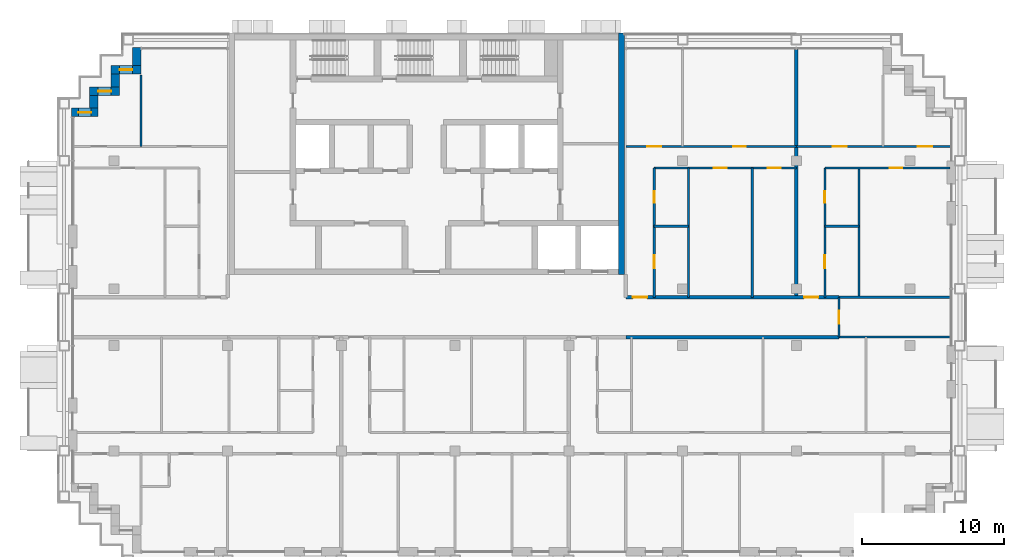
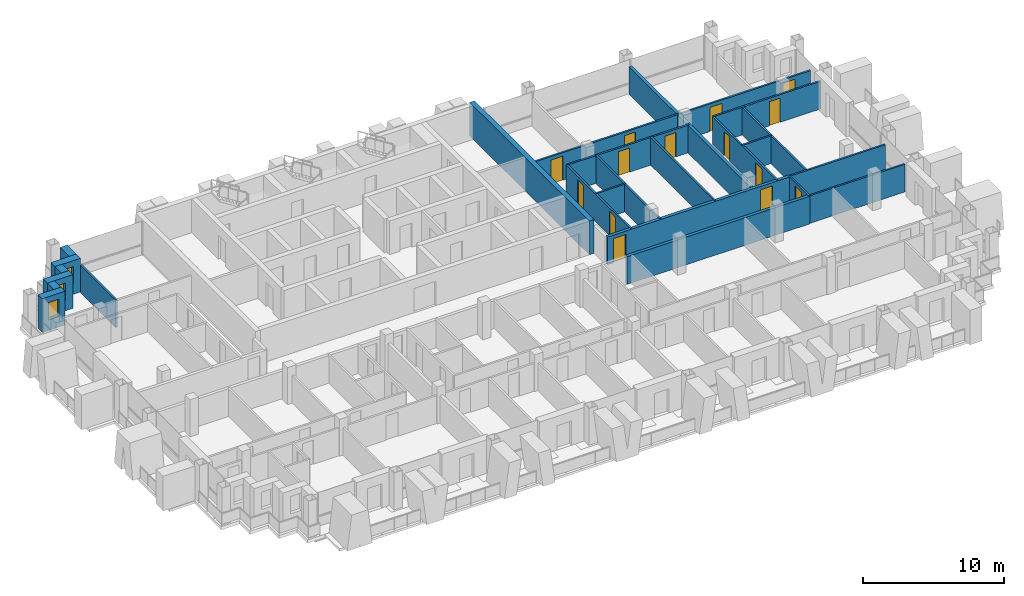
# One storey, part 11 of 16: 25 walls, 14 doors, 3 windows, 17 openings.
"""IFC4 building model written with IfcOpenShell, lengths in metres."""

from ifc_helpers import new_model, si_unit, direction, frame, frame_2d, origin, place, context, subcontext, project, spatial, rectangle, extrude, material, layer, layer_set, type_object, element, fill, save


model = new_model("IFC4")

# Units and contexts
model_context = context("Model", 3, precision=1e-05, world=origin(), true_north=direction((0.0, 1.0)))
body_context = subcontext(model_context, "Body", "Model", "MODEL_VIEW")
ifc_project = project(units=[si_unit("LENGTHUNIT", "METRE"), si_unit("AREAUNIT", "SQUARE_METRE"), si_unit("VOLUMEUNIT", "CUBIC_METRE"), si_unit("PLANEANGLEUNIT", "RADIAN"), si_unit("MASSUNIT", "GRAM", prefix="KILO")], contexts=[model_context])

# Site, building, storey
site_placement = place(None, origin())
site = spatial("IfcSite", under=ifc_project, at=site_placement, CompositionType="ELEMENT")
building_placement = place(site_placement, origin())
building = spatial("IfcBuilding", under=site, at=building_placement, Name="Vidyagriha Tower", CompositionType="ELEMENT")
storey_placement = place(building_placement, frame((0.0, 0.0, 168.5)))
storey = spatial("IfcBuildingStorey", under=building, at=storey_placement, Name="L43", CompositionType="ELEMENT", Elevation=168.5)

# Wall
ifc_material_1 = material(Name="Precast concrete C40/50 with brick facing", Category="concrete")
ifc_layer_1 = layer(ifc_material_1, 0.60009765625)
ifc_layer_set_1 = layer_set([ifc_layer_1], Name="Precast concrete C40/50 with brick facing")
wall_type_1 = type_object("IfcWallType", Name="Brick-faced precast wall 600", PredefinedType="STANDARD", material=ifc_layer_set_1)
wall_1_placement = place(storey_placement, frame((-20.39990234375, 18.97998046875, 0.0), z_axis=(0.0, 0.0, 1.0), x_axis=(0.0, -1.0, 0.0)))
element("IfcWall", 1, at=wall_1_placement, inside=storey, type_object=wall_type_1, Name="Stepped corner wall L43 R10", PredefinedType="STANDARD", context=body_context, shape_type="SweptSolid", body=[
    extrude(rectangle(XDim=1.280029296875, YDim=0.60009765625, at=frame_2d((0.64013671875, 0.0))), origin(), (0.0, 0.0, 1.0), 2.919921875),
])

# Wall, opening, window
wall_2_placement = place(storey_placement, frame((-20.10009765625, 17.39990234375, 0.0), z_axis=(0.0, 0.0, 1.0), x_axis=(-1.0, 0.0, 0.0)))
wall_2 = element("IfcWall", 2, at=wall_2_placement, inside=storey, type_object=wall_type_1, Name="Stepped corner wall L43 R11", PredefinedType="STANDARD", context=body_context, shape_type="SweptSolid", body=[
    extrude(rectangle(XDim=2.099853515625, YDim=0.60009765625, at=frame_2d((1.0498046875, 0.0))), origin(), (0.0, 0.0, 1.0), 2.919921875),
])
opening_1_placement = place(wall_2_placement, frame((0.60009765625, 0.0, 0.89990234375)))
opening_1 = element("IfcOpeningElement", 3, at=opening_1_placement, cuts=wall_2, Name="Opening WN1", PredefinedType="OPENING", context=body_context, shape_type="SweptSolid", body=[
    extrude(rectangle(XDim=0.89990234375, YDim=1.5, at=frame_2d((0.449951171875, 0.75))), frame((0.0, 0.31005859375, 0.0), z_axis=(0.0, -1.0, 0.0), x_axis=(1.0, 0.0, 0.0)), (0.0, 0.0, 1.0), 0.6201171875),
])
ifc_material_2 = material(Name="Aluminium and glass window", Category="aluminium")
window_type = type_object("IfcWindowType", Name="Reveal window 900x1500", PartitioningType="NOTDEFINED", PredefinedType="WINDOW", material=ifc_material_2)
window_1_placement = place(opening_1_placement, origin())
window_1 = element("IfcWindow", 4, at=window_1_placement, inside=storey, type_object=window_type, Name="Reveal window L43 R11", OverallHeight=1.5, OverallWidth=0.89990234375, PartitioningType="SINGLE_PANEL", PredefinedType="WINDOW", context=body_context, shape_type="SweptSolid", body=[
    extrude(rectangle(XDim=0.89990234375, YDim=1.5, at=frame_2d((0.449951171875, 0.75))), frame((0.0, 0.030029296875, 0.0), z_axis=(0.0, -1.0, 0.0), x_axis=(1.0, 0.0, 0.0)), (0.0, 0.0, 1.0), 0.06005859375),
])
fill(opening_1, window_1)

# Wall
wall_3_placement = place(storey_placement, frame((-21.89990234375, 17.10009765625, 0.0), z_axis=(0.0, 0.0, 1.0), x_axis=(0.0, -1.0, 0.0)))
element("IfcWall", 5, at=wall_3_placement, inside=storey, type_object=wall_type_1, Name="Stepped corner wall L43 R12", PredefinedType="STANDARD", context=body_context, shape_type="SweptSolid", body=[
    extrude(rectangle(XDim=0.900146484375, YDim=0.60009765625, at=frame_2d((0.4501953125, 0.0))), origin(), (0.0, 0.0, 1.0), 2.919921875),
])

# Wall, opening, window
wall_4_placement = place(storey_placement, frame((-21.60009765625, 15.89990234375, 0.0), z_axis=(0.0, 0.0, 1.0), x_axis=(-1.0, 0.0, 0.0)))
wall_4 = element("IfcWall", 6, at=wall_4_placement, inside=storey, type_object=wall_type_1, Name="Stepped corner wall L43 R13", PredefinedType="STANDARD", context=body_context, shape_type="SweptSolid", body=[
    extrude(rectangle(XDim=2.099853515625, YDim=0.60009765625, at=frame_2d((1.0498046875, 0.0))), origin(), (0.0, 0.0, 1.0), 2.919921875),
])
opening_2_placement = place(wall_4_placement, frame((0.60009765625, 0.0, 0.89990234375)))
opening_2 = element("IfcOpeningElement", 7, at=opening_2_placement, cuts=wall_4, Name="Opening WN1", PredefinedType="OPENING", context=body_context, shape_type="SweptSolid", body=[
    extrude(rectangle(XDim=0.89990234375, YDim=1.5, at=frame_2d((0.449951171875, 0.75))), frame((0.0, 0.31005859375, 0.0), z_axis=(0.0, -1.0, 0.0), x_axis=(1.0, 0.0, 0.0)), (0.0, 0.0, 1.0), 0.6201171875),
])
window_2_placement = place(opening_2_placement, origin())
window_2 = element("IfcWindow", 8, at=window_2_placement, inside=storey, type_object=window_type, Name="Reveal window L43 R13", OverallHeight=1.5, OverallWidth=0.89990234375, PartitioningType="SINGLE_PANEL", PredefinedType="WINDOW", context=body_context, shape_type="SweptSolid", body=[
    extrude(rectangle(XDim=0.89990234375, YDim=1.5, at=frame_2d((0.449951171875, 0.75))), frame((0.0, 0.030029296875, 0.0), z_axis=(0.0, -1.0, 0.0), x_axis=(1.0, 0.0, 0.0)), (0.0, 0.0, 1.0), 0.06005859375),
])
fill(opening_2, window_2)

# Wall
wall_5_placement = place(storey_placement, frame((-23.39990234375, 15.60009765625, 0.0), z_axis=(0.0, 0.0, 1.0), x_axis=(0.0, -1.0, 0.0)))
element("IfcWall", 9, at=wall_5_placement, inside=storey, type_object=wall_type_1, Name="Stepped corner wall L43 R14", PredefinedType="STANDARD", context=body_context, shape_type="SweptSolid", body=[
    extrude(rectangle(XDim=0.900146484375, YDim=0.60009765625, at=frame_2d((0.4501953125, 0.0))), origin(), (0.0, 0.0, 1.0), 2.919921875),
])

# Wall, opening, window
wall_6_placement = place(storey_placement, frame((-23.10009765625, 14.39990234375, 0.0), z_axis=(0.0, 0.0, 1.0), x_axis=(-1.0, 0.0, 0.0)))
wall_6 = element("IfcWall", 10, at=wall_6_placement, inside=storey, type_object=wall_type_1, Name="Stepped corner wall L43 R15", PredefinedType="STANDARD", context=body_context, shape_type="SweptSolid", body=[
    extrude(rectangle(XDim=1.8798828125, YDim=0.60009765625, at=frame_2d((0.93994140625, 0.0))), origin(), (0.0, 0.0, 1.0), 2.919921875),
])
opening_3_placement = place(wall_6_placement, frame((0.489990234375, 0.0, 0.89990234375)))
opening_3 = element("IfcOpeningElement", 11, at=opening_3_placement, cuts=wall_6, Name="Opening WN1", PredefinedType="OPENING", context=body_context, shape_type="SweptSolid", body=[
    extrude(rectangle(XDim=0.89990234375, YDim=1.5, at=frame_2d((0.449951171875, 0.75))), frame((0.0, 0.31005859375, 0.0), z_axis=(0.0, -1.0, 0.0), x_axis=(1.0, 0.0, 0.0)), (0.0, 0.0, 1.0), 0.6201171875),
])
window_3_placement = place(opening_3_placement, origin())
window_3 = element("IfcWindow", 12, at=window_3_placement, inside=storey, type_object=window_type, Name="Reveal window L43 R15", OverallHeight=1.5, OverallWidth=0.89990234375, PartitioningType="SINGLE_PANEL", PredefinedType="WINDOW", context=body_context, shape_type="SweptSolid", body=[
    extrude(rectangle(XDim=0.89990234375, YDim=1.5, at=frame_2d((0.449951171875, 0.75))), frame((0.0, 0.030029296875, 0.0), z_axis=(0.0, -1.0, 0.0), x_axis=(1.0, 0.0, 0.0)), (0.0, 0.0, 1.0), 0.06005859375),
])
fill(opening_3, window_3)

# Walls
ifc_material_3 = material(Name="Concrete C60/75", Category="concrete")
ifc_layer_2 = layer(ifc_material_3, 0.39990234375)
ifc_layer_set_2 = layer_set([ifc_layer_2], Name="Concrete C60/75")
wall_type_2 = type_object("IfcWallType", Name="Core shear wall 400 mm", PredefinedType="SHEAR", material=ifc_layer_set_2)
wall_7_placement = place(storey_placement, frame((13.699951171875, 3.0, 0.0), z_axis=(0.0, 0.0, 1.0), x_axis=(0.0, 1.0, 0.0)))
element("IfcWall", 13, at=wall_7_placement, inside=storey, type_object=wall_type_2, Name="Core east wall", PredefinedType="SHEAR", context=body_context, shape_type="SweptSolid", body=[
    extrude(rectangle(XDim=17.0, YDim=0.39990234375, at=frame_2d((8.5, 0.0))), origin(), (0.0, 0.0, 1.0), 2.919921875),
])
ifc_material_4 = material(Name="Fired clay brick masonry", Category="masonry")
ifc_layer_3 = layer(ifc_material_4, 0.25)
ifc_layer_set_3 = layer_set([ifc_layer_3], Name="Fired clay brick masonry")
wall_type_3 = type_object("IfcWallType", Name="Fired clay brick corridor wall 250", PredefinedType="PARTITIONING", material=ifc_layer_set_3)
wall_8_placement = place(storey_placement, frame((29.0, -1.39990234375, 0.0), z_axis=(0.0, 0.0, 1.0), x_axis=(-1.0, 0.0, 0.0)))
element("IfcWall", 14, at=wall_8_placement, inside=storey, type_object=wall_type_3, Name="Wall all-L43-w067", PredefinedType="PARTITIONING", context=body_context, shape_type="SweptSolid", body=[
    extrude(rectangle(XDim=15.0, YDim=0.25, at=frame_2d((7.5, 0.0))), origin(), (0.0, 0.0, 1.0), 2.39990234375),
])

# Wall, openings, doors
wall_9_placement = place(storey_placement, frame((14.0, 1.39990234375, 0.0)))
wall_9 = element("IfcWall", 15, at=wall_9_placement, inside=storey, type_object=wall_type_3, Name="Wall all-L43-w109", PredefinedType="PARTITIONING", context=body_context, shape_type="SweptSolid", body=[
    extrude(rectangle(XDim=15.0, YDim=0.25, at=frame_2d((7.5, 0.0))), origin(), (0.0, 0.0, 1.0), 2.39990234375),
])
opening_4_placement = place(wall_9_placement, frame((0.5, 0.0, 0.0)))
opening_4 = element("IfcOpeningElement", 16, at=opening_4_placement, cuts=wall_9, Name="Opening D43-58", PredefinedType="OPENING", context=body_context, shape_type="SweptSolid", body=[
    extrude(rectangle(XDim=1.0, YDim=2.10009765625, at=frame_2d((0.5, 1.050048828125))), frame((0.0, 0.135009765625, 0.0), z_axis=(0.0, -1.0, 0.0), x_axis=(1.0, 0.0, 0.0)), (0.0, 0.0, 1.0), 0.27001953125),
])
opening_5_placement = place(wall_9_placement, frame((12.547119140625, 0.0, 0.0)))
opening_5 = element("IfcOpeningElement", 17, at=opening_5_placement, cuts=wall_9, Name="Opening D43-64", PredefinedType="OPENING", context=body_context, shape_type="SweptSolid", body=[
    extrude(rectangle(XDim=1.0, YDim=2.10009765625, at=frame_2d((0.5, 1.050048828125))), frame((0.0, 0.135009765625, 0.0), z_axis=(0.0, -1.0, 0.0), x_axis=(1.0, 0.0, 0.0)), (0.0, 0.0, 1.0), 0.27001953125),
])
ifc_material_5 = material(Name="Fire-rated timber door leaf EI 60", Category="wood")
door_type_1 = type_object("IfcDoorType", Name="Flat entrance fire door 1000x2100", OperationType="NOTDEFINED", PredefinedType="DOOR", material=ifc_material_5)
door_1_placement = place(opening_4_placement, origin())
door_1 = element("IfcDoor", 18, at=door_1_placement, inside=storey, type_object=door_type_1, Name="Door D43-58", OperationType="SINGLE_SWING_LEFT", OverallHeight=2.10009765625, OverallWidth=1.0, PredefinedType="DOOR", context=body_context, shape_type="SweptSolid", body=[
    extrude(rectangle(XDim=1.0, YDim=2.10009765625, at=frame_2d((0.5, 1.050048828125))), frame((0.0, 0.02490234375, 0.0), z_axis=(0.0, -1.0, 0.0), x_axis=(1.0, 0.0, 0.0)), (0.0, 0.0, 1.0), 0.050048828125),
])
fill(opening_4, door_1)
door_2_placement = place(opening_5_placement, origin())
door_2 = element("IfcDoor", 19, at=door_2_placement, inside=storey, type_object=door_type_1, Name="Door D43-64", OperationType="SINGLE_SWING_LEFT", OverallHeight=2.10009765625, OverallWidth=1.0, PredefinedType="DOOR", context=body_context, shape_type="SweptSolid", body=[
    extrude(rectangle(XDim=1.0, YDim=2.10009765625, at=frame_2d((0.5, 1.050048828125))), frame((0.0, 0.02490234375, 0.0), z_axis=(0.0, -1.0, 0.0), x_axis=(1.0, 0.0, 0.0)), (0.0, 0.0, 1.0), 0.050048828125),
])
fill(opening_5, door_2)

# Walls
ifc_material_6 = material(Name="Fired clay brick masonry", Category="masonry")
ifc_layer_4 = layer(ifc_material_6, 0.25)
ifc_layer_set_4 = layer_set([ifc_layer_4], Name="Fired clay brick masonry")
wall_type_4 = type_object("IfcWallType", Name="Fired clay brick demising wall 250", PredefinedType="PARTITIONING", material=ifc_layer_set_4)
wall_10_placement = place(storey_placement, frame((26.0, 18.821044921875, 0.0), z_axis=(0.0, 0.0, 1.0), x_axis=(0.0, -1.0, 0.0)))
element("IfcWall", 20, at=wall_10_placement, inside=storey, type_object=wall_type_4, Name="Wall all-L43-w108", PredefinedType="PARTITIONING", context=body_context, shape_type="SweptSolid", body=[
    extrude(rectangle(XDim=17.421142578125, YDim=0.25, at=frame_2d((8.71044921875, 0.0))), origin(), (0.0, 0.0, 1.0), 2.39990234375),
])
ifc_material_7 = material(Name="Gypsum board partition")
ifc_layer_5 = layer(ifc_material_7, 0.14990234375)
ifc_layer_set_5 = layer_set([ifc_layer_5], Name="Gypsum board partition")
wall_type_5 = type_object("IfcWallType", Name="Gypsum board partition 150", PredefinedType="PARTITIONING", material=ifc_layer_set_5)
wall_11_placement = place(storey_placement, frame((36.820068359375, -1.39990234375, 0.0), z_axis=(0.0, 0.0, 1.0), x_axis=(-1.0, 0.0, 0.0)))
element("IfcWall", 21, at=wall_11_placement, inside=storey, type_object=wall_type_5, Name="Wall all-L43-w068", PredefinedType="PARTITIONING", context=body_context, shape_type="SweptSolid", body=[
    extrude(rectangle(XDim=7.820068359375, YDim=0.14990234375, at=frame_2d((3.91015625, 0.0))), origin(), (0.0, 0.0, 1.0), 2.39990234375),
])
wall_12_placement = place(storey_placement, frame((-20.10009765625, 17.02001953125, 0.0), z_axis=(0.0, 0.0, 1.0), x_axis=(0.0, -1.0, 0.0)))
element("IfcWall", 22, at=wall_12_placement, inside=storey, type_object=wall_type_5, Name="Wall all-L43-w079", PredefinedType="PARTITIONING", context=body_context, shape_type="SweptSolid", body=[
    extrude(rectangle(XDim=5.02001953125, YDim=0.14990234375, at=frame_2d((2.510009765625, 0.0))), origin(), (0.0, 0.0, 1.0), 2.39990234375),
])
wall_13_placement = place(storey_placement, frame((16.0, 6.39990234375, 0.0)))
element("IfcWall", 23, at=wall_13_placement, inside=storey, type_object=wall_type_5, Name="Wall all-L43-w085", PredefinedType="PARTITIONING", context=body_context, shape_type="SweptSolid", body=[
    extrude(rectangle(XDim=2.39990234375, YDim=0.14990234375, at=frame_2d((1.199951171875, 0.0))), origin(), (0.0, 0.0, 1.0), 2.39990234375),
])
for number, where, z_axis, x_axis, name in (
    (24, (18.39990234375, 10.5, 0.0), (0.0, 0.0, 1.0), (0.0, -1.0, 0.0), "Wall all-L43-w086"),
    (25, (22.89990234375, 10.5, 0.0), (0.0, 0.0, 1.0), (0.0, -1.0, 0.0), "Wall all-L43-w087"),
):
    element("IfcWall", number, at=place(storey_placement, frame(where, z_axis=z_axis, x_axis=x_axis)), inside=storey, type_object=wall_type_5, Name=name, PredefinedType="PARTITIONING", context=body_context, shape_type="SweptSolid", body=[
        extrude(rectangle(XDim=9.10009765625, YDim=0.14990234375, at=frame_2d((4.550048828125, 0.0))), origin(), (0.0, 0.0, 1.0), 2.39990234375),
    ])

# Wall, openings, doors
wall_14_placement = place(storey_placement, frame((26.0, 10.5, 0.0), z_axis=(0.0, 0.0, 1.0), x_axis=(-1.0, 0.0, 0.0)))
wall_14 = element("IfcWall", 26, at=wall_14_placement, inside=storey, type_object=wall_type_5, Name="Wall all-L43-w088", PredefinedType="PARTITIONING", context=body_context, shape_type="SweptSolid", body=[
    extrude(rectangle(XDim=10.0, YDim=0.14990234375, at=frame_2d((5.0, 0.0))), origin(), (0.0, 0.0, 1.0), 2.39990234375),
])
opening_6_placement = place(wall_14_placement, frame((4.89990234375, 0.0, 0.0)))
opening_6 = element("IfcOpeningElement", 27, at=opening_6_placement, cuts=wall_14, Name="Opening D43-54", PredefinedType="OPENING", context=body_context, shape_type="SweptSolid", body=[
    extrude(rectangle(XDim=0.89990234375, YDim=2.10009765625, at=frame_2d((0.449951171875, 1.050048828125))), frame((0.0, 0.0849609375, 0.0), z_axis=(0.0, -1.0, 0.0), x_axis=(1.0, 0.0, 0.0)), (0.0, 0.0, 1.0), 0.169921875),
])
opening_7_placement = place(wall_14_placement, frame((1.10009765625, 0.0, 0.0)))
opening_7 = element("IfcOpeningElement", 28, at=opening_7_placement, cuts=wall_14, Name="Opening D43-55", PredefinedType="OPENING", context=body_context, shape_type="SweptSolid", body=[
    extrude(rectangle(XDim=0.89990234375, YDim=2.10009765625, at=frame_2d((0.449951171875, 1.050048828125))), frame((0.0, 0.0849609375, 0.0), z_axis=(0.0, -1.0, 0.0), x_axis=(1.0, 0.0, 0.0)), (0.0, 0.0, 1.0), 0.169921875),
])
ifc_material_8 = material(Name="Timber door leaf", Category="wood")
door_type_2 = type_object("IfcDoorType", Name="Room door 900x2100", OperationType="NOTDEFINED", PredefinedType="DOOR", material=ifc_material_8)
door_3_placement = place(opening_6_placement, origin())
door_3 = element("IfcDoor", 29, at=door_3_placement, inside=storey, type_object=door_type_2, Name="Door D43-54", OperationType="SINGLE_SWING_RIGHT", OverallHeight=2.10009765625, OverallWidth=0.89990234375, PredefinedType="DOOR", context=body_context, shape_type="SweptSolid", body=[
    extrude(rectangle(XDim=0.89990234375, YDim=2.10009765625, at=frame_2d((0.449951171875, 1.050048828125))), frame((0.0, 0.02490234375, 0.0), z_axis=(0.0, -1.0, 0.0), x_axis=(1.0, 0.0, 0.0)), (0.0, 0.0, 1.0), 0.050048828125),
])
fill(opening_6, door_3)
door_4_placement = place(opening_7_placement, origin())
door_4 = element("IfcDoor", 30, at=door_4_placement, inside=storey, type_object=door_type_2, Name="Door D43-55", OperationType="SINGLE_SWING_RIGHT", OverallHeight=2.10009765625, OverallWidth=0.89990234375, PredefinedType="DOOR", context=body_context, shape_type="SweptSolid", body=[
    extrude(rectangle(XDim=0.89990234375, YDim=2.10009765625, at=frame_2d((0.449951171875, 1.050048828125))), frame((0.0, 0.02490234375, 0.0), z_axis=(0.0, -1.0, 0.0), x_axis=(1.0, 0.0, 0.0)), (0.0, 0.0, 1.0), 0.050048828125),
])
fill(opening_7, door_4)

wall_15_placement = place(storey_placement, frame((14.0, 12.0, 0.0)))
wall_15 = element("IfcWall", 31, at=wall_15_placement, inside=storey, type_object=wall_type_5, Name="Wall all-L43-w091", PredefinedType="PARTITIONING", context=body_context, shape_type="SweptSolid", body=[
    extrude(rectangle(XDim=12.0, YDim=0.14990234375, at=frame_2d((6.0, 0.0))), origin(), (0.0, 0.0, 1.0), 2.39990234375),
])
opening_8_placement = place(wall_15_placement, frame((1.5, 0.0, 0.0)))
opening_8 = element("IfcOpeningElement", 32, at=opening_8_placement, cuts=wall_15, Name="Opening D43-56", PredefinedType="OPENING", context=body_context, shape_type="SweptSolid", body=[
    extrude(rectangle(XDim=1.0, YDim=2.10009765625, at=frame_2d((0.5, 1.050048828125))), frame((0.0, 0.0849609375, 0.0), z_axis=(0.0, -1.0, 0.0), x_axis=(1.0, 0.0, 0.0)), (0.0, 0.0, 1.0), 0.169921875),
])
opening_9_placement = place(wall_15_placement, frame((7.550048828125, 0.0, 0.0)))
opening_9 = element("IfcOpeningElement", 33, at=opening_9_placement, cuts=wall_15, Name="Opening D43-57", PredefinedType="OPENING", context=body_context, shape_type="SweptSolid", body=[
    extrude(rectangle(XDim=0.89990234375, YDim=2.10009765625, at=frame_2d((0.449951171875, 1.050048828125))), frame((0.0, 0.0849609375, 0.0), z_axis=(0.0, -1.0, 0.0), x_axis=(1.0, 0.0, 0.0)), (0.0, 0.0, 1.0), 0.169921875),
])
ifc_material_9 = material(Name="Timber door leaf", Category="wood")
door_type_3 = type_object("IfcDoorType", Name="Room door 1000x2100", OperationType="NOTDEFINED", PredefinedType="DOOR", material=ifc_material_9)
door_5_placement = place(opening_8_placement, origin())
door_5 = element("IfcDoor", 34, at=door_5_placement, inside=storey, type_object=door_type_3, Name="Door D43-56", OperationType="SINGLE_SWING_RIGHT", OverallHeight=2.10009765625, OverallWidth=1.0, PredefinedType="DOOR", context=body_context, shape_type="SweptSolid", body=[
    extrude(rectangle(XDim=1.0, YDim=2.10009765625, at=frame_2d((0.5, 1.050048828125))), frame((0.0, 0.02490234375, 0.0), z_axis=(0.0, -1.0, 0.0), x_axis=(1.0, 0.0, 0.0)), (0.0, 0.0, 1.0), 0.050048828125),
])
fill(opening_8, door_5)
door_6_placement = place(opening_9_placement, origin())
door_6 = element("IfcDoor", 35, at=door_6_placement, inside=storey, type_object=door_type_2, Name="Door D43-57", OperationType="SINGLE_SWING_RIGHT", OverallHeight=2.10009765625, OverallWidth=0.89990234375, PredefinedType="DOOR", context=body_context, shape_type="SweptSolid", body=[
    extrude(rectangle(XDim=0.89990234375, YDim=2.10009765625, at=frame_2d((0.449951171875, 1.050048828125))), frame((0.0, 0.02490234375, 0.0), z_axis=(0.0, -1.0, 0.0), x_axis=(1.0, 0.0, 0.0)), (0.0, 0.0, 1.0), 0.050048828125),
])
fill(opening_9, door_6)

# Walls
wall_16_placement = place(storey_placement, frame((28.0, 6.39990234375, 0.0)))
element("IfcWall", 36, at=wall_16_placement, inside=storey, type_object=wall_type_5, Name="Wall all-L43-w099", PredefinedType="PARTITIONING", context=body_context, shape_type="SweptSolid", body=[
    extrude(rectangle(XDim=2.39990234375, YDim=0.14990234375, at=frame_2d((1.199951171875, 0.0))), origin(), (0.0, 0.0, 1.0), 2.39990234375),
])
wall_17_placement = place(storey_placement, frame((30.39990234375, 10.5, 0.0), z_axis=(0.0, 0.0, 1.0), x_axis=(0.0, -1.0, 0.0)))
element("IfcWall", 37, at=wall_17_placement, inside=storey, type_object=wall_type_5, Name="Wall all-L43-w100", PredefinedType="PARTITIONING", context=body_context, shape_type="SweptSolid", body=[
    extrude(rectangle(XDim=9.10009765625, YDim=0.14990234375, at=frame_2d((4.550048828125, 0.0))), origin(), (0.0, 0.0, 1.0), 2.39990234375),
])

# Wall, opening, door
wall_18_placement = place(storey_placement, frame((36.81005859375, 10.5, 0.0), z_axis=(0.0, 0.0, 1.0), x_axis=(-1.0, 0.0, 0.0)))
wall_18 = element("IfcWall", 38, at=wall_18_placement, inside=storey, type_object=wall_type_5, Name="Wall all-L43-w101", PredefinedType="PARTITIONING", context=body_context, shape_type="SweptSolid", body=[
    extrude(rectangle(XDim=8.81005859375, YDim=0.14990234375, at=frame_2d((4.405029296875, 0.0))), origin(), (0.0, 0.0, 1.0), 2.39990234375),
])
opening_10_placement = place(wall_18_placement, frame((3.35693359375, 0.0, 0.0)))
opening_10 = element("IfcOpeningElement", 39, at=opening_10_placement, cuts=wall_18, Name="Opening D43-61", PredefinedType="OPENING", context=body_context, shape_type="SweptSolid", body=[
    extrude(rectangle(XDim=0.89990234375, YDim=2.10009765625, at=frame_2d((0.449951171875, 1.050048828125))), frame((0.0, 0.0849609375, 0.0), z_axis=(0.0, -1.0, 0.0), x_axis=(1.0, 0.0, 0.0)), (0.0, 0.0, 1.0), 0.169921875),
])
door_7_placement = place(opening_10_placement, origin())
door_7 = element("IfcDoor", 40, at=door_7_placement, inside=storey, type_object=door_type_2, Name="Door D43-61", OperationType="SINGLE_SWING_RIGHT", OverallHeight=2.10009765625, OverallWidth=0.89990234375, PredefinedType="DOOR", context=body_context, shape_type="SweptSolid", body=[
    extrude(rectangle(XDim=0.89990234375, YDim=2.10009765625, at=frame_2d((0.449951171875, 1.050048828125))), frame((0.0, 0.02490234375, 0.0), z_axis=(0.0, -1.0, 0.0), x_axis=(1.0, 0.0, 0.0)), (0.0, 0.0, 1.0), 0.050048828125),
])
fill(opening_10, door_7)

# Wall, openings, doors
wall_19_placement = place(storey_placement, frame((26.0, 12.0, 0.0)))
wall_19 = element("IfcWall", 41, at=wall_19_placement, inside=storey, type_object=wall_type_5, Name="Wall all-L43-w103", PredefinedType="PARTITIONING", context=body_context, shape_type="SweptSolid", body=[
    extrude(rectangle(XDim=10.820068359375, YDim=0.14990234375, at=frame_2d((5.41015625, 0.0))), origin(), (0.0, 0.0, 1.0), 2.39990234375),
])
opening_11_placement = place(wall_19_placement, frame((2.550048828125, 0.0, 0.0)))
opening_11 = element("IfcOpeningElement", 42, at=opening_11_placement, cuts=wall_19, Name="Opening D43-62", PredefinedType="OPENING", context=body_context, shape_type="SweptSolid", body=[
    extrude(rectangle(XDim=1.0, YDim=2.10009765625, at=frame_2d((0.5, 1.050048828125))), frame((0.0, 0.0849609375, 0.0), z_axis=(0.0, -1.0, 0.0), x_axis=(1.0, 0.0, 0.0)), (0.0, 0.0, 1.0), 0.169921875),
])
opening_12_placement = place(wall_19_placement, frame((8.547119140625, 0.0, 0.0)))
opening_12 = element("IfcOpeningElement", 43, at=opening_12_placement, cuts=wall_19, Name="Opening D43-63", PredefinedType="OPENING", context=body_context, shape_type="SweptSolid", body=[
    extrude(rectangle(XDim=1.0, YDim=2.10009765625, at=frame_2d((0.5, 1.050048828125))), frame((0.0, 0.0849609375, 0.0), z_axis=(0.0, -1.0, 0.0), x_axis=(1.0, 0.0, 0.0)), (0.0, 0.0, 1.0), 0.169921875),
])
door_8_placement = place(opening_11_placement, origin())
door_8 = element("IfcDoor", 44, at=door_8_placement, inside=storey, type_object=door_type_3, Name="Door D43-62", OperationType="SINGLE_SWING_RIGHT", OverallHeight=2.10009765625, OverallWidth=1.0, PredefinedType="DOOR", context=body_context, shape_type="SweptSolid", body=[
    extrude(rectangle(XDim=1.0, YDim=2.10009765625, at=frame_2d((0.5, 1.050048828125))), frame((0.0, 0.02490234375, 0.0), z_axis=(0.0, -1.0, 0.0), x_axis=(1.0, 0.0, 0.0)), (0.0, 0.0, 1.0), 0.050048828125),
])
fill(opening_11, door_8)
door_9_placement = place(opening_12_placement, origin())
door_9 = element("IfcDoor", 45, at=door_9_placement, inside=storey, type_object=door_type_3, Name="Door D43-63", OperationType="SINGLE_SWING_RIGHT", OverallHeight=2.10009765625, OverallWidth=1.0, PredefinedType="DOOR", context=body_context, shape_type="SweptSolid", body=[
    extrude(rectangle(XDim=1.0, YDim=2.10009765625, at=frame_2d((0.5, 1.050048828125))), frame((0.0, 0.02490234375, 0.0), z_axis=(0.0, -1.0, 0.0), x_axis=(1.0, 0.0, 0.0)), (0.0, 0.0, 1.0), 0.050048828125),
])
fill(opening_12, door_9)

# Wall
wall_20_placement = place(storey_placement, frame((29.0, 1.39990234375, 0.0)))
element("IfcWall", 46, at=wall_20_placement, inside=storey, type_object=wall_type_5, Name="Wall all-L43-w110", PredefinedType="PARTITIONING", context=body_context, shape_type="SweptSolid", body=[
    extrude(rectangle(XDim=7.820068359375, YDim=0.14990234375, at=frame_2d((3.91015625, 0.0))), origin(), (0.0, 0.0, 1.0), 2.39990234375),
])

# Wall, opening, door
wall_21_placement = place(storey_placement, frame((29.0, -1.39990234375, 0.0), z_axis=(0.0, 0.0, 1.0), x_axis=(0.0, 1.0, 0.0)))
wall_21 = element("IfcWall", 47, at=wall_21_placement, inside=storey, type_object=wall_type_5, Name="Wall all-L43-w111", PredefinedType="PARTITIONING", context=body_context, shape_type="SweptSolid", body=[
    extrude(rectangle(XDim=2.7998046875, YDim=0.14990234375, at=frame_2d((1.39990234375, 0.0))), origin(), (0.0, 0.0, 1.0), 2.39990234375),
])
opening_13_placement = place(wall_21_placement, frame((0.949951171875, 0.0, 0.0)))
opening_13 = element("IfcOpeningElement", 48, at=opening_13_placement, cuts=wall_21, Name="Opening D43-65", PredefinedType="OPENING", context=body_context, shape_type="SweptSolid", body=[
    extrude(rectangle(XDim=0.89990234375, YDim=2.10009765625, at=frame_2d((0.449951171875, 1.050048828125))), frame((0.0, 0.0849609375, 0.0), z_axis=(0.0, -1.0, 0.0), x_axis=(1.0, 0.0, 0.0)), (0.0, 0.0, 1.0), 0.169921875),
])
door_10_placement = place(opening_13_placement, origin())
door_10 = element("IfcDoor", 49, at=door_10_placement, inside=storey, type_object=door_type_2, Name="Door D43-65", OperationType="SINGLE_SWING_RIGHT", OverallHeight=2.10009765625, OverallWidth=0.89990234375, PredefinedType="DOOR", context=body_context, shape_type="SweptSolid", body=[
    extrude(rectangle(XDim=0.89990234375, YDim=2.10009765625, at=frame_2d((0.449951171875, 1.050048828125))), frame((0.0, 0.02490234375, 0.0), z_axis=(0.0, -1.0, 0.0), x_axis=(1.0, 0.0, 0.0)), (0.0, 0.0, 1.0), 0.050048828125),
])
fill(opening_13, door_10)

# Wall, openings, doors
ifc_material_10 = material(Name="Moisture resistant gypsum board partition")
ifc_layer_6 = layer(ifc_material_10, 0.14990234375)
ifc_layer_set_6 = layer_set([ifc_layer_6], Name="Moisture resistant gypsum board partition")
wall_type_6 = type_object("IfcWallType", Name="Gypsum board wet-area partition 150", PredefinedType="PARTITIONING", material=ifc_layer_set_6)
wall_22_placement = place(storey_placement, frame((16.0, 10.5, 0.0), z_axis=(0.0, 0.0, 1.0), x_axis=(0.0, -1.0, 0.0)))
wall_22 = element("IfcWall", 50, at=wall_22_placement, inside=storey, type_object=wall_type_6, Name="Wall all-L43-w082", PredefinedType="PARTITIONING", context=body_context, shape_type="SweptSolid", body=[
    extrude(rectangle(XDim=9.10009765625, YDim=0.14990234375, at=frame_2d((4.550048828125, 0.0))), origin(), (0.0, 0.0, 1.0), 2.39990234375),
])
opening_14_placement = place(wall_22_placement, frame((6.14990234375, 0.0, 0.0)))
opening_14 = element("IfcOpeningElement", 51, at=opening_14_placement, cuts=wall_22, Name="Opening D43-52", PredefinedType="OPENING", context=body_context, shape_type="SweptSolid", body=[
    extrude(rectangle(XDim=0.89990234375, YDim=2.10009765625, at=frame_2d((0.449951171875, 1.050048828125))), frame((0.0, 0.0849609375, 0.0), z_axis=(0.0, -1.0, 0.0), x_axis=(1.0, 0.0, 0.0)), (0.0, 0.0, 1.0), 0.169921875),
])
opening_15_placement = place(wall_22_placement, frame((1.64990234375, 0.0, 0.0)))
opening_15 = element("IfcOpeningElement", 52, at=opening_15_placement, cuts=wall_22, Name="Opening D43-53", PredefinedType="OPENING", context=body_context, shape_type="SweptSolid", body=[
    extrude(rectangle(XDim=0.800048828125, YDim=2.10009765625, at=frame_2d((0.39990234375, 1.050048828125))), frame((0.0, 0.0849609375, 0.0), z_axis=(0.0, -1.0, 0.0), x_axis=(1.0, 0.0, 0.0)), (0.0, 0.0, 1.0), 0.169921875),
])
ifc_material_11 = material(Name="Timber door leaf", Category="wood")
door_type_4 = type_object("IfcDoorType", Name="Bathroom door 800x2100", OperationType="NOTDEFINED", PredefinedType="DOOR", material=ifc_material_11)
door_11_placement = place(opening_15_placement, origin())
door_11 = element("IfcDoor", 53, at=door_11_placement, inside=storey, type_object=door_type_4, Name="Door D43-53", OperationType="SINGLE_SWING_RIGHT", OverallHeight=2.10009765625, OverallWidth=0.800048828125, PredefinedType="DOOR", context=body_context, shape_type="SweptSolid", body=[
    extrude(rectangle(XDim=0.800048828125, YDim=2.10009765625, at=frame_2d((0.39990234375, 1.050048828125))), frame((0.0, 0.02490234375, 0.0), z_axis=(0.0, -1.0, 0.0), x_axis=(1.0, 0.0, 0.0)), (0.0, 0.0, 1.0), 0.050048828125),
])
fill(opening_15, door_11)
ifc_material_12 = material(Name="Timber door leaf", Category="wood")
door_type_5 = type_object("IfcDoorType", Name="Kitchen door 900x2100", OperationType="NOTDEFINED", PredefinedType="DOOR", material=ifc_material_12)
door_12_placement = place(opening_14_placement, origin())
door_12 = element("IfcDoor", 54, at=door_12_placement, inside=storey, type_object=door_type_5, Name="Door D43-52", OperationType="SINGLE_SWING_LEFT", OverallHeight=2.10009765625, OverallWidth=0.89990234375, PredefinedType="DOOR", context=body_context, shape_type="SweptSolid", body=[
    extrude(rectangle(XDim=0.89990234375, YDim=2.10009765625, at=frame_2d((0.449951171875, 1.050048828125))), frame((0.0, 0.02490234375, 0.0), z_axis=(0.0, -1.0, 0.0), x_axis=(1.0, 0.0, 0.0)), (0.0, 0.0, 1.0), 0.050048828125),
])
fill(opening_14, door_12)

wall_23_placement = place(storey_placement, frame((28.0, 10.5, 0.0), z_axis=(0.0, 0.0, 1.0), x_axis=(0.0, -1.0, 0.0)))
wall_23 = element("IfcWall", 55, at=wall_23_placement, inside=storey, type_object=wall_type_6, Name="Wall all-L43-w096", PredefinedType="PARTITIONING", context=body_context, shape_type="SweptSolid", body=[
    extrude(rectangle(XDim=9.10009765625, YDim=0.14990234375, at=frame_2d((4.550048828125, 0.0))), origin(), (0.0, 0.0, 1.0), 2.39990234375),
])
opening_16_placement = place(wall_23_placement, frame((6.14990234375, 0.0, 0.0)))
opening_16 = element("IfcOpeningElement", 56, at=opening_16_placement, cuts=wall_23, Name="Opening D43-59", PredefinedType="OPENING", context=body_context, shape_type="SweptSolid", body=[
    extrude(rectangle(XDim=0.89990234375, YDim=2.10009765625, at=frame_2d((0.449951171875, 1.050048828125))), frame((0.0, 0.0849609375, 0.0), z_axis=(0.0, -1.0, 0.0), x_axis=(1.0, 0.0, 0.0)), (0.0, 0.0, 1.0), 0.169921875),
])
opening_17_placement = place(wall_23_placement, frame((1.64990234375, 0.0, 0.0)))
opening_17 = element("IfcOpeningElement", 57, at=opening_17_placement, cuts=wall_23, Name="Opening D43-60", PredefinedType="OPENING", context=body_context, shape_type="SweptSolid", body=[
    extrude(rectangle(XDim=0.800048828125, YDim=2.10009765625, at=frame_2d((0.39990234375, 1.050048828125))), frame((0.0, 0.0849609375, 0.0), z_axis=(0.0, -1.0, 0.0), x_axis=(1.0, 0.0, 0.0)), (0.0, 0.0, 1.0), 0.169921875),
])
door_13_placement = place(opening_17_placement, origin())
door_13 = element("IfcDoor", 58, at=door_13_placement, inside=storey, type_object=door_type_4, Name="Door D43-60", OperationType="SINGLE_SWING_RIGHT", OverallHeight=2.10009765625, OverallWidth=0.800048828125, PredefinedType="DOOR", context=body_context, shape_type="SweptSolid", body=[
    extrude(rectangle(XDim=0.800048828125, YDim=2.10009765625, at=frame_2d((0.39990234375, 1.050048828125))), frame((0.0, 0.02490234375, 0.0), z_axis=(0.0, -1.0, 0.0), x_axis=(1.0, 0.0, 0.0)), (0.0, 0.0, 1.0), 0.050048828125),
])
fill(opening_17, door_13)
door_14_placement = place(opening_16_placement, origin())
door_14 = element("IfcDoor", 59, at=door_14_placement, inside=storey, type_object=door_type_5, Name="Door D43-59", OperationType="SINGLE_SWING_LEFT", OverallHeight=2.10009765625, OverallWidth=0.89990234375, PredefinedType="DOOR", context=body_context, shape_type="SweptSolid", body=[
    extrude(rectangle(XDim=0.89990234375, YDim=2.10009765625, at=frame_2d((0.449951171875, 1.050048828125))), frame((0.0, 0.02490234375, 0.0), z_axis=(0.0, -1.0, 0.0), x_axis=(1.0, 0.0, 0.0)), (0.0, 0.0, 1.0), 0.050048828125),
])
fill(opening_16, door_14)

save(model, "model.ifc")
